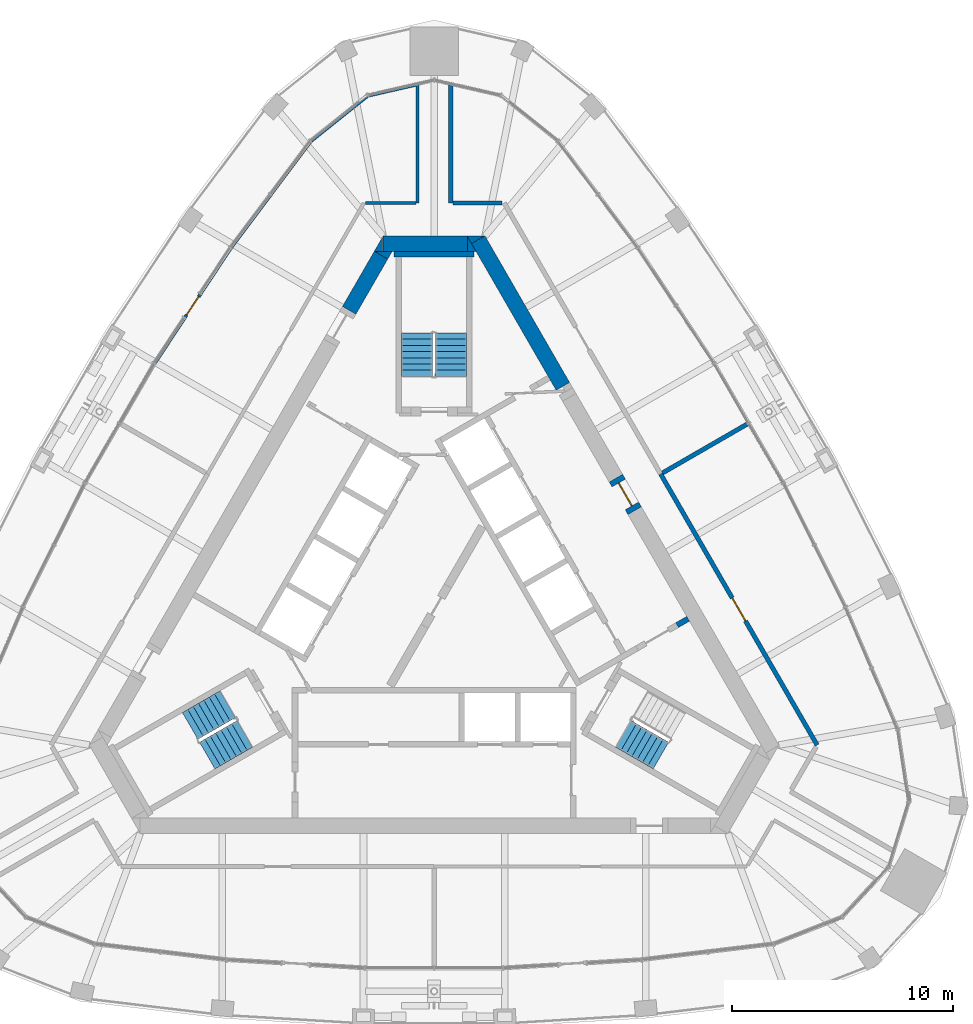
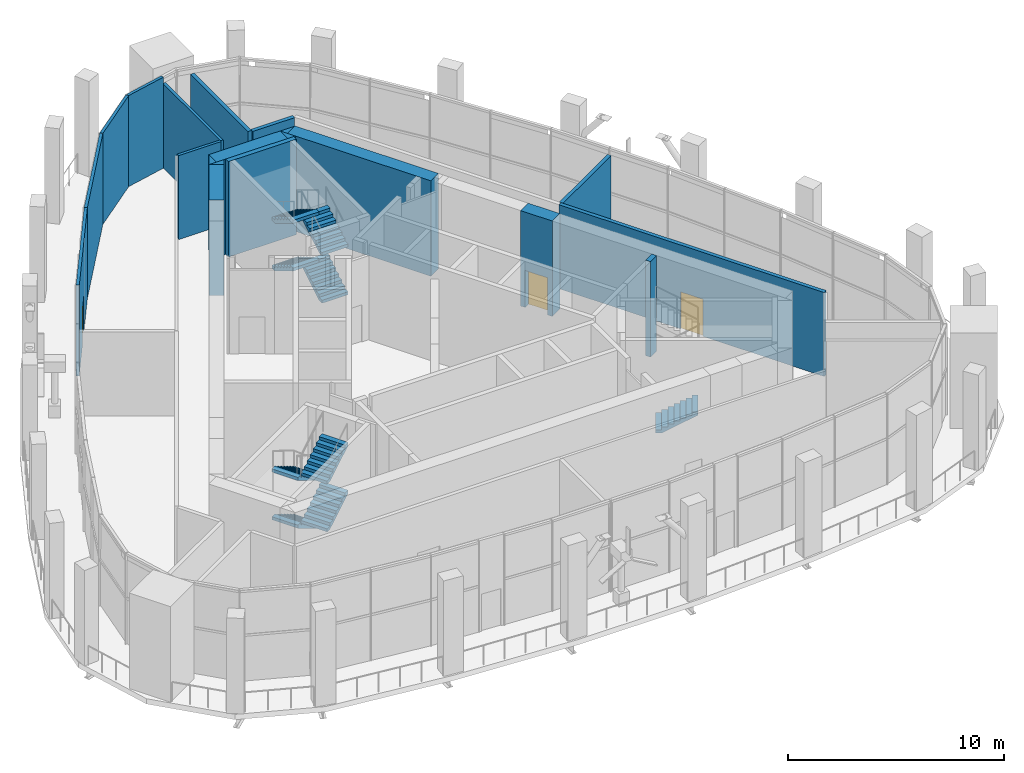
# One storey, part 16 of 23: 20 walls, 9 stair flights, 3 doors, 3 openings, 3 elements without a shape of their own.
"""IFC4 building model written with IfcOpenShell, lengths in metres."""

from ifc_helpers import new_model, si_unit, direction, frame, frame_2d, origin, place, context, subcontext, project, spatial, polyline, rectangle, outline, extrude, material, layer, layer_set, type_object, element, fill, aggregate, save


model = new_model("IFC4")

# Units and contexts
model_context = context("Model", 3, precision=1e-05, world=origin(), true_north=direction((0.0, 1.0)))
body_context = subcontext(model_context, "Body", "Model", "MODEL_VIEW")
ifc_project = project(units=[si_unit("LENGTHUNIT", "METRE"), si_unit("AREAUNIT", "SQUARE_METRE"), si_unit("VOLUMEUNIT", "CUBIC_METRE"), si_unit("PLANEANGLEUNIT", "RADIAN"), si_unit("MASSUNIT", "GRAM", prefix="KILO")], contexts=[model_context])

# Site, building, storey
site_placement = place(None, origin())
site = spatial("IfcSite", under=ifc_project, at=site_placement, CompositionType="ELEMENT")
building_placement = place(site_placement, origin())
building = spatial("IfcBuilding", under=site, at=building_placement, Name="Mestral Congress Tower", CompositionType="ELEMENT")
storey_placement = place(building_placement, frame((0.0, 0.0, 261.60009765625)))
storey = spatial("IfcBuildingStorey", under=building, at=storey_placement, Name="L61", CompositionType="ELEMENT", Elevation=261.60009765625)

# Walls
ifc_material_1 = material(Name="Concrete C60/75", Category="concrete")
ifc_layer_1 = layer(ifc_material_1, 0.699951171875)
ifc_layer_set_1 = layer_set([ifc_layer_1], Name="Concrete C60/75")
wall_type_1 = type_object("IfcWallType", Name="Core wall RC 700", PredefinedType="SOLIDWALL", material=ifc_layer_set_1)
wall_1_placement = place(storey_placement, frame((5.833251953125, 9.896484375, 0.0), z_axis=(0.0, 0.0, 1.0), x_axis=(-0.499987949039, 0.866032361298, 0.0)))
element("IfcWall", 1, at=wall_1_placement, inside=storey, type_object=wall_type_1, Name="L61 core wall", PredefinedType="SOLIDWALL", context=body_context, shape_type="SweptSolid", body=[
    extrude(rectangle(XDim=7.668212890625, YDim=0.699951171875, at=frame_2d((3.833984375, 0.0))), origin(), (0.0, 0.0, 1.0), 5.39990234375),
])
placement = place(storey_placement, origin())
element("IfcWall", 2, at=placement, inside=storey, type_object=wall_type_1, Name="L61 core wall", PredefinedType="SOLIDWALL", context=body_context, shape_type="SweptSolid", body=[
    extrude(outline(polyline([(1.501220703125, 16.699951171875), (2.277099609375, 16.699951171875), (1.695068359375, 16.364013671875), (1.501220703125, 16.699951171875)])), origin(), (0.0, 0.0, 1.0), 5.39990234375),
])
wall_3_placement = place(storey_placement, frame((-2.323486328125, 16.35009765625, 0.0), z_axis=(0.0, 0.0, 1.0), x_axis=(1.0, 0.0, 0.0)))
element("IfcWall", 3, at=wall_3_placement, inside=storey, type_object=wall_type_1, Name="L61 core wall", PredefinedType="SOLIDWALL", context=body_context, shape_type="SweptSolid", body=[
    extrude(rectangle(XDim=3.828857421875, YDim=0.699951171875, at=frame_2d((1.91455078125, 0.0))), origin(), (0.0, 0.0, 1.0), 5.39990234375),
])
element("IfcWall", 4, at=placement, inside=storey, type_object=wall_type_1, Name="L61 core wall", PredefinedType="SOLIDWALL", context=body_context, shape_type="SweptSolid", body=[
    extrude(outline(polyline([(1.9052734375, 16.0), (1.50732421875, 16.0), (1.50732421875, 16.689208984375), (1.9052734375, 16.0)])), origin(), (0.0, 0.0, 1.0), 5.39990234375),
])
element("IfcWall", 5, at=placement, inside=storey, type_object=wall_type_1, Name="L61 core wall", PredefinedType="SOLIDWALL", context=body_context, shape_type="SweptSolid", body=[
    extrude(outline(polyline([(-2.71337890625, 16.0), (-2.325439453125, 16.672119140625), (-2.325439453125, 16.0), (-2.71337890625, 16.0)])), origin(), (0.0, 0.0, 1.0), 5.39990234375),
])
wall_6_placement = place(storey_placement, frame((-2.4033203125, 15.837158203125, 0.0), z_axis=(0.0, 0.0, 1.0), x_axis=(-0.500008214683, -0.866020660983, 0.0)))
element("IfcWall", 6, at=wall_6_placement, inside=storey, type_object=wall_type_1, Name="L61 core wall", PredefinedType="SOLIDWALL", context=body_context, shape_type="SweptSolid", body=[
    extrude(rectangle(XDim=2.88427734375, YDim=0.699951171875, at=frame_2d((1.442138671875, 0.0))), origin(), (0.0, 0.0, 1.0), 5.39990234375),
])
element("IfcWall", 7, at=placement, inside=storey, type_object=wall_type_1, Name="L61 core wall", PredefinedType="SOLIDWALL", context=body_context, shape_type="SweptSolid", body=[
    extrude(outline(polyline([(-1.9052734375, 16.0), (-2.099365234375, 15.6640625), (-2.681396484375, 16.0), (-1.9052734375, 16.0)])), origin(), (0.0, 0.0, 1.0), 5.39990234375),
])

# Wall, opening, door
wall_8_placement = place(storey_placement, frame((8.2353515625, 5.736083984375, 0.0), z_axis=(0.0, 0.0, 1.0), x_axis=(0.499954529098, -0.86605165483, 0.0)))
wall_8 = element("IfcWall", 8, at=wall_8_placement, inside=storey, type_object=wall_type_1, Name="L61 door wall", PredefinedType="SOLIDWALL", context=body_context, shape_type="SweptSolid", body=[
    extrude(rectangle(XDim=1.699951171875, YDim=0.699951171875, at=frame_2d((0.85009765625, 0.0))), origin(), (0.0, 0.0, 1.0), 5.39990234375),
])
opening_1_placement = place(wall_8_placement, frame((0.25, 0.0, 0.0)))
opening_1 = element("IfcOpeningElement", 9, at=opening_1_placement, cuts=wall_8, Name="Opening XDL", PredefinedType="OPENING", context=body_context, shape_type="SweptSolid", body=[
    extrude(rectangle(XDim=1.199951171875, YDim=2.10009765625, at=frame_2d((0.60009765625, 1.050048828125))), frame((0.0, 0.35986328125, 0.0), z_axis=(0.0, -1.0, 0.0), x_axis=(1.0, 0.0, 0.0)), (0.0, 0.0, 1.0), 0.719970703125),
])
ifc_material_2 = material(Name="Fire-rated steel door set", Category="steel")
door_type_1 = type_object("IfcDoorType", Name="Core door XD 1200x2100", OperationType="SINGLE_SWING_LEFT", PredefinedType="DOOR", material=ifc_material_2)
door_1_placement = place(opening_1_placement, origin())
door_1 = element("IfcDoor", 10, at=door_1_placement, inside=storey, type_object=door_type_1, Name="Door XDL", OperationType="SINGLE_SWING_LEFT", OverallHeight=2.10009765625, OverallWidth=1.199951171875, PredefinedType="DOOR", context=body_context, shape_type="SweptSolid", body=[
    extrude(rectangle(XDim=1.199951171875, YDim=2.10009765625, at=frame_2d((0.60009765625, 1.050048828125))), frame((0.0, 0.02490234375, 0.0), z_axis=(0.0, -1.0, 0.0), x_axis=(1.0, 0.0, 0.0)), (0.0, 0.0, 1.0), 0.050048828125),
])
fill(opening_1, door_1)

# Wall
ifc_layer_2 = layer(ifc_material_1, 0.25)
ifc_layer_set_2 = layer_set([ifc_layer_2], Name="Concrete C60/75")
wall_type_2 = type_object("IfcWallType", Name="Shaft wall RC 250", PredefinedType="SOLIDWALL", material=ifc_layer_set_2)
wall_9_placement = place(storey_placement, frame((11.507080078125, -0.631103515625, 0.0), z_axis=(0.0, 0.0, 1.0), x_axis=(-0.866093731455, -0.499881634324, 0.0)))
element("IfcWall", 11, at=wall_9_placement, inside=storey, type_object=wall_type_2, Name="L61 core wall", PredefinedType="SOLIDWALL", context=body_context, shape_type="SweptSolid", body=[
    extrude(rectangle(XDim=0.575439453125, YDim=0.25, at=frame_2d((0.28759765625, 0.0))), origin(), (0.0, 0.0, 1.0), 5.39990234375),
])

# Wall, opening, door
ifc_material_3 = material(Name="Aluminium-framed glazed screen", Category="aluminium")
ifc_layer_3 = layer(ifc_material_3, 0.14990234375)
ifc_layer_set_3 = layer_set([ifc_layer_3], Name="Aluminium-framed glazed screen")
wall_type_3 = type_object("IfcWallType", Name="Special deck access screen 150", PredefinedType="PARTITIONING", material=ifc_layer_set_3)
wall_10_placement = place(storey_placement, frame((-9.21240234375, 16.156982421875, 0.0), z_axis=(0.0, 0.0, 1.0), x_axis=(-0.550753125613, -0.834668194331, 0.0)))
wall_10 = element("IfcWall", 12, at=wall_10_placement, inside=storey, type_object=wall_type_3, Name="Deck access screen wall", PredefinedType="PARTITIONING", context=body_context, shape_type="SweptSolid", body=[
    extrude(rectangle(XDim=6.261962890625, YDim=0.14990234375, at=frame_2d((3.130859375, 0.0))), origin(), (0.0, 0.0, 1.0), 5.14990234375),
])
opening_2_placement = place(wall_10_placement, frame((2.630859375, 0.0, 0.0)))
opening_2 = element("IfcOpeningElement", 13, at=opening_2_placement, cuts=wall_10, Name="Opening S61-803", PredefinedType="OPENING", context=body_context, shape_type="SweptSolid", body=[
    extrude(rectangle(XDim=1.0, YDim=2.10009765625, at=frame_2d((0.5, 1.050048828125))), frame((0.0, 0.0849609375, 0.0), z_axis=(0.0, -1.0, 0.0), x_axis=(1.0, 0.0, 0.0)), (0.0, 0.0, 1.0), 0.169921875),
])
ifc_material_4 = material(Name="Timber door set", Category="wood")
door_type_2 = type_object("IfcDoorType", Name="Room door 1000x2100", OperationType="SINGLE_SWING_LEFT", PredefinedType="DOOR", material=ifc_material_4)
door_2_placement = place(opening_2_placement, origin())
door_2 = element("IfcDoor", 14, at=door_2_placement, inside=storey, type_object=door_type_2, Name="Door S61-803", OperationType="SINGLE_SWING_LEFT", OverallHeight=2.10009765625, OverallWidth=1.0, PredefinedType="DOOR", context=body_context, shape_type="SweptSolid", body=[
    extrude(rectangle(XDim=1.0, YDim=2.10009765625, at=frame_2d((0.5, 1.050048828125))), frame((0.0, 0.02490234375, 0.0), z_axis=(0.0, -1.0, 0.0), x_axis=(1.0, 0.0, 0.0)), (0.0, 0.0, 1.0), 0.050048828125),
])
fill(opening_2, door_2)

# Walls
wall_11_placement = place(storey_placement, frame((-5.5908203125, 20.99169921875, 0.0), z_axis=(0.0, 0.0, 1.0), x_axis=(-0.599540458284, -0.800344450147, 0.0)))
element("IfcWall", 15, at=wall_11_placement, inside=storey, type_object=wall_type_3, Name="Deck access screen wall", PredefinedType="PARTITIONING", context=body_context, shape_type="SweptSolid", body=[
    extrude(rectangle(XDim=6.03662109375, YDim=0.14990234375, at=frame_2d((3.018310546875, 0.0))), origin(), (0.0, 0.0, 1.0), 5.14990234375),
])
wall_12_placement = place(storey_placement, frame((-3.01611328125, 23.04931640625, 0.0), z_axis=(0.0, 0.0, 1.0), x_axis=(-0.781653167731, -0.623713335898, 0.0)))
element("IfcWall", 16, at=wall_12_placement, inside=storey, type_object=wall_type_3, Name="Deck access screen wall", PredefinedType="PARTITIONING", context=body_context, shape_type="SweptSolid", body=[
    extrude(rectangle(XDim=3.277099609375, YDim=0.14990234375, at=frame_2d((1.638671875, 0.0))), origin(), (0.0, 0.0, 1.0), 5.14990234375),
])
wall_13_placement = place(storey_placement, frame((-0.8447265625, 23.552978515625, 0.0), z_axis=(0.0, 0.0, 1.0), x_axis=(-0.974901948002, -0.222634659885, 0.0)))
element("IfcWall", 17, at=wall_13_placement, inside=storey, type_object=wall_type_3, Name="Deck access screen wall", PredefinedType="PARTITIONING", context=body_context, shape_type="SweptSolid", body=[
    extrude(rectangle(XDim=2.196533203125, YDim=0.14990234375, at=frame_2d((1.09814453125, 0.0))), origin(), (0.0, 0.0, 1.0), 5.14990234375),
])
ifc_material_5 = material(Name="Fire-rated board partition")
ifc_layer_4 = layer(ifc_material_5, 0.14990234375)
ifc_layer_set_4 = layer_set([ifc_layer_4], Name="Fire-rated board partition")
wall_type_4 = type_object("IfcWallType", Name="Special partition 150 EI 120", PredefinedType="PARTITIONING", material=ifc_layer_set_4)
wall_14_placement = place(storey_placement, frame((-0.75, 18.199951171875, 0.0), z_axis=(0.0, 0.0, 1.0), x_axis=(0.0, 1.0, 0.0)))
element("IfcWall", 18, at=wall_14_placement, inside=storey, type_object=wall_type_4, Name="Partition", PredefinedType="PARTITIONING", context=body_context, shape_type="SweptSolid", body=[
    extrude(rectangle(XDim=5.350341796875, YDim=0.14990234375, at=frame_2d((2.67529296875, 0.0))), origin(), (0.0, 0.0, 1.0), 4.75),
])
wall_15_placement = place(storey_placement, frame((-3.10546875, 18.199951171875, 0.0), z_axis=(0.0, 0.0, 1.0), x_axis=(1.0, 0.0, 0.0)))
element("IfcWall", 19, at=wall_15_placement, inside=storey, type_object=wall_type_4, Name="Partition", PredefinedType="PARTITIONING", context=body_context, shape_type="SweptSolid", body=[
    extrude(rectangle(XDim=2.275390625, YDim=0.14990234375, at=frame_2d((1.1376953125, 0.0))), origin(), (0.0, 0.0, 1.0), 4.75),
])

# Wall, opening, door
ifc_material_6 = material(Name="Concrete block wall, plastered", Category="concrete")
ifc_layer_5 = layer(ifc_material_6, 0.199951171875)
ifc_layer_set_5 = layer_set([ifc_layer_5], Name="Concrete block wall, plastered")
wall_type_5 = type_object("IfcWallType", Name="Special partition 200 EI 120", PredefinedType="PARTITIONING", material=ifc_layer_set_5)
wall_16_placement = place(storey_placement, frame((17.349365234375, -6.35009765625, 0.0), z_axis=(0.0, 0.0, 1.0), x_axis=(-0.499997784101, 0.866026683131, 0.0)))
wall_16 = element("IfcWall", 20, at=wall_16_placement, inside=storey, type_object=wall_type_5, Name="Partition", PredefinedType="PARTITIONING", context=body_context, shape_type="SweptSolid", body=[
    extrude(rectangle(XDim=14.17431640625, YDim=0.199951171875, at=frame_2d((7.087158203125, 0.0))), origin(), (0.0, 0.0, 1.0), 4.75),
])
opening_3_placement = place(wall_16_placement, frame((6.487060546875, 0.0, 0.0)))
opening_3 = element("IfcOpeningElement", 21, at=opening_3_placement, cuts=wall_16, Name="Opening S61-004", PredefinedType="OPENING", context=body_context, shape_type="SweptSolid", body=[
    extrude(rectangle(XDim=1.199951171875, YDim=2.10009765625, at=frame_2d((0.60009765625, 1.050048828125))), frame((0.0, 0.10986328125, 0.0), z_axis=(0.0, -1.0, 0.0), x_axis=(1.0, 0.0, 0.0)), (0.0, 0.0, 1.0), 0.219970703125),
])
door_type_3 = type_object("IfcDoorType", Name="Plant room door 1200x2100", OperationType="SINGLE_SWING_LEFT", PredefinedType="DOOR", material=ifc_material_2)
door_3_placement = place(opening_3_placement, origin())
door_3 = element("IfcDoor", 22, at=door_3_placement, inside=storey, type_object=door_type_3, Name="Door S61-004", OperationType="SINGLE_SWING_RIGHT", OverallHeight=2.10009765625, OverallWidth=1.199951171875, PredefinedType="DOOR", context=body_context, shape_type="SweptSolid", body=[
    extrude(rectangle(XDim=1.199951171875, YDim=2.10009765625, at=frame_2d((0.60009765625, 1.050048828125))), frame((0.0, 0.02490234375, 0.0), z_axis=(0.0, -1.0, 0.0), x_axis=(1.0, 0.0, 0.0)), (0.0, 0.0, 1.0), 0.050048828125),
])
fill(opening_3, door_3)

# Walls
wall_17_placement = place(storey_placement, frame((0.75, 23.55029296875, 0.0), z_axis=(0.0, 0.0, 1.0), x_axis=(0.0, -1.0, 0.0)))
element("IfcWall", 23, at=wall_17_placement, inside=storey, type_object=wall_type_5, Name="Partition", PredefinedType="PARTITIONING", context=body_context, shape_type="SweptSolid", body=[
    extrude(rectangle(XDim=5.350341796875, YDim=0.199951171875, at=frame_2d((2.67529296875, 0.0))), origin(), (0.0, 0.0, 1.0), 4.75),
])
wall_18_placement = place(storey_placement, frame((10.34912109375, 5.97509765625, 0.0), z_axis=(0.0, 0.0, 1.0), x_axis=(0.866022231217, 0.500005495009, 0.0)))
element("IfcWall", 24, at=wall_18_placement, inside=storey, type_object=wall_type_5, Name="Partition", PredefinedType="PARTITIONING", context=body_context, shape_type="SweptSolid", body=[
    extrude(rectangle(XDim=4.455078125, YDim=0.199951171875, at=frame_2d((2.2275390625, 0.0))), origin(), (0.0, 0.0, 1.0), 4.75),
])
wall_19_placement = place(storey_placement, frame((0.85009765625, 18.199951171875, 0.0), z_axis=(0.0, 0.0, 1.0), x_axis=(1.0, 0.0, 0.0)))
element("IfcWall", 25, at=wall_19_placement, inside=storey, type_object=wall_type_5, Name="Partition", PredefinedType="PARTITIONING", context=body_context, shape_type="SweptSolid", body=[
    extrude(rectangle(XDim=2.2353515625, YDim=0.199951171875, at=frame_2d((1.11767578125, 0.0))), origin(), (0.0, 0.0, 1.0), 4.75),
])
ifc_layer_6 = layer(ifc_material_1, 0.25)
ifc_layer_set_6 = layer_set([ifc_layer_6], Name="Concrete C60/75")
wall_type_6 = type_object("IfcWallType", Name="Stair wall RC 250", PredefinedType="SOLIDWALL", material=ifc_layer_set_6)
wall_20_placement = place(storey_placement, frame((-1.81689453125, 15.875, 0.0), z_axis=(0.0, 0.0, 1.0), x_axis=(1.0, 0.0, 0.0)))
element("IfcWall", 26, at=wall_20_placement, inside=storey, type_object=wall_type_6, Name="L61 core wall", PredefinedType="SOLIDWALL", context=body_context, shape_type="SweptSolid", body=[
    extrude(rectangle(XDim=3.6337890625, YDim=0.25, at=frame_2d((1.81689453125, 0.0))), origin(), (0.0, 0.0, 1.0), 5.39990234375),
])

# Stair, stair flight
stair_type = type_object("IfcStairType", Name="Exit stair 1400", PredefinedType="HALF_TURN_STAIR", material=ifc_material_1)
stair_1 = element("IfcStair", 27, at=placement, inside=storey, type_object=stair_type, Name="L61 ST1", PredefinedType="HALF_TURN_STAIR")
stair_flight_type = type_object("IfcStairFlightType", Name="Exit stair flight 1400", PredefinedType="STRAIGHT", material=ifc_material_1)
stair_flight_1_placement = place(storey_placement, frame((8.575927734375, -5.84619140625, 0.0), z_axis=(0.0, 0.0, 1.0), x_axis=(0.866025403784, -0.5, 0.0)))
stair_flight_1 = element("IfcStairFlight", 28, at=stair_flight_1_placement, type_object=stair_flight_type, Name="ST1 flight 1", NumberOfRisers=8, NumberOfTreads=7, PredefinedType="STRAIGHT", RiserHeight=0.16875, TreadLength=0.28, context=body_context, shape_type="SweptSolid", body=[
    extrude(outline(polyline([(0.0, 0.0), (0.0, 0.168701171875), (0.280029296875, 0.168701171875), (0.280029296875, 0.33740234375), (0.56005859375, 0.33740234375), (0.56005859375, 0.50634765625), (0.840087890625, 0.50634765625), (0.840087890625, 0.675048828125), (1.1201171875, 0.675048828125), (1.1201171875, 0.84375), (1.39990234375, 0.84375), (1.39990234375, 1.012451171875), (1.679931640625, 1.012451171875), (1.679931640625, 1.18115234375), (1.9599609375, 1.18115234375), (1.9599609375, 1.35009765625), (1.9599609375, 1.00634765625), (0.29052734375, 0.0), (0.0, 0.0)])), frame((0.0, 0.699951171875, 0.0), z_axis=(0.0, -1.0, 0.0), x_axis=(1.0, 0.0, 0.0)), (0.0, 0.0, 1.0), 0.700927734375),
    extrude(outline(polyline([(0.0, 0.0), (0.0, 0.168701171875), (0.280029296875, 0.168701171875), (0.280029296875, 0.33740234375), (0.56005859375, 0.33740234375), (0.56005859375, 0.50634765625), (0.840087890625, 0.50634765625), (0.840087890625, 0.675048828125), (1.1201171875, 0.675048828125), (1.1201171875, 0.84375), (1.39990234375, 0.84375), (1.39990234375, 1.012451171875), (1.679931640625, 1.012451171875), (1.679931640625, 1.18115234375), (1.9599609375, 1.18115234375), (1.9599609375, 1.35009765625), (1.9599609375, 1.00634765625), (0.29052734375, 0.0), (0.0, 0.0)])), frame((0.0, 0.0009765625, 0.0), z_axis=(0.0, -1.0, 0.0), x_axis=(1.0, 0.0, 0.0)), (0.0, 0.0, 1.0), 0.700927734375),
])
aggregate(stair_1, [stair_flight_1])

# Stair, stair flights
stair_2 = element("IfcStair", 29, at=placement, inside=storey, type_object=stair_type, Name="L61 ST2", PredefinedType="HALF_TURN_STAIR")
stair_flight_2_placement = place(storey_placement, frame((0.77490234375, 10.35009765625, 0.0), z_axis=(0.0, 0.0, 1.0), x_axis=(0.0, 1.0, 0.0)))
stair_flight_2 = element("IfcStairFlight", 30, at=stair_flight_2_placement, type_object=stair_flight_type, Name="ST2 flight 1", NumberOfRisers=8, NumberOfTreads=7, PredefinedType="STRAIGHT", RiserHeight=0.16875, TreadLength=0.28, context=body_context, shape_type="SweptSolid", body=[
    extrude(outline(polyline([(0.0, 0.0), (0.0, 0.168701171875), (0.280029296875, 0.168701171875), (0.280029296875, 0.33740234375), (0.56005859375, 0.33740234375), (0.56005859375, 0.50634765625), (0.840087890625, 0.50634765625), (0.840087890625, 0.675048828125), (1.1201171875, 0.675048828125), (1.1201171875, 0.84375), (1.39990234375, 0.84375), (1.39990234375, 1.012451171875), (1.679931640625, 1.012451171875), (1.679931640625, 1.18115234375), (1.9599609375, 1.18115234375), (1.9599609375, 1.35009765625), (1.9599609375, 1.00634765625), (0.29052734375, 0.0), (0.0, 0.0)])), frame((0.0, 0.699951171875, 0.0), z_axis=(0.0, -1.0, 0.0), x_axis=(1.0, 0.0, 0.0)), (0.0, 0.0, 1.0), 0.700927734375),
    extrude(outline(polyline([(0.0, 0.0), (0.0, 0.168701171875), (0.280029296875, 0.168701171875), (0.280029296875, 0.33740234375), (0.56005859375, 0.33740234375), (0.56005859375, 0.50634765625), (0.840087890625, 0.50634765625), (0.840087890625, 0.675048828125), (1.1201171875, 0.675048828125), (1.1201171875, 0.84375), (1.39990234375, 0.84375), (1.39990234375, 1.012451171875), (1.679931640625, 1.012451171875), (1.679931640625, 1.18115234375), (1.9599609375, 1.18115234375), (1.9599609375, 1.35009765625), (1.9599609375, 1.00634765625), (0.29052734375, 0.0), (0.0, 0.0)])), frame((0.0, 0.0009765625, 0.0), z_axis=(0.0, -1.0, 0.0), x_axis=(1.0, 0.0, 0.0)), (0.0, 0.0, 1.0), 0.700927734375),
])
stair_flight_3_placement = place(storey_placement, frame((-0.77490234375, 12.31005859375, 1.349853515625), z_axis=(0.0, 0.0, 1.0), x_axis=(0.0, -1.0, 0.0)))
stair_flight_3 = element("IfcStairFlight", 31, at=stair_flight_3_placement, type_object=stair_flight_type, Name="ST2 flight 2", NumberOfRisers=8, NumberOfTreads=7, PredefinedType="STRAIGHT", RiserHeight=0.16875, TreadLength=0.28, context=body_context, shape_type="SweptSolid", body=[
    extrude(outline(polyline([(0.0, 0.0), (0.0, 0.168701171875), (0.280029296875, 0.168701171875), (0.280029296875, 0.33740234375), (0.56005859375, 0.33740234375), (0.56005859375, 0.50634765625), (0.840087890625, 0.50634765625), (0.840087890625, 0.675048828125), (1.1201171875, 0.675048828125), (1.1201171875, 0.84375), (1.39990234375, 0.84375), (1.39990234375, 1.012451171875), (1.679931640625, 1.012451171875), (1.679931640625, 1.18115234375), (1.9599609375, 1.18115234375), (1.9599609375, 1.35009765625), (1.9599609375, 1.00634765625), (0.29052734375, 0.0), (0.0, 0.0)])), frame((0.0, 0.699951171875, 0.0), z_axis=(0.0, -1.0, 0.0), x_axis=(1.0, 0.0, 0.0)), (0.0, 0.0, 1.0), 0.700927734375),
    extrude(outline(polyline([(0.0, 0.0), (0.0, 0.168701171875), (0.280029296875, 0.168701171875), (0.280029296875, 0.33740234375), (0.56005859375, 0.33740234375), (0.56005859375, 0.50634765625), (0.840087890625, 0.50634765625), (0.840087890625, 0.675048828125), (1.1201171875, 0.675048828125), (1.1201171875, 0.84375), (1.39990234375, 0.84375), (1.39990234375, 1.012451171875), (1.679931640625, 1.012451171875), (1.679931640625, 1.18115234375), (1.9599609375, 1.18115234375), (1.9599609375, 1.35009765625), (1.9599609375, 1.00634765625), (0.29052734375, 0.0), (0.0, 0.0)])), frame((0.0, 0.0009765625, 0.0), z_axis=(0.0, -1.0, 0.0), x_axis=(1.0, 0.0, 0.0)), (0.0, 0.0, 1.0), 0.700927734375),
])
stair_flight_4_placement = place(storey_placement, frame((0.77490234375, 10.35009765625, 2.699951171875), z_axis=(0.0, 0.0, 1.0), x_axis=(0.0, 1.0, 0.0)))
stair_flight_4 = element("IfcStairFlight", 32, at=stair_flight_4_placement, type_object=stair_flight_type, Name="ST2 flight 3", NumberOfRisers=8, NumberOfTreads=7, PredefinedType="STRAIGHT", RiserHeight=0.16875, TreadLength=0.28, context=body_context, shape_type="SweptSolid", body=[
    extrude(outline(polyline([(0.0, 0.0), (0.0, 0.168701171875), (0.280029296875, 0.168701171875), (0.280029296875, 0.33740234375), (0.56005859375, 0.33740234375), (0.56005859375, 0.50634765625), (0.840087890625, 0.50634765625), (0.840087890625, 0.675048828125), (1.1201171875, 0.675048828125), (1.1201171875, 0.84375), (1.39990234375, 0.84375), (1.39990234375, 1.012451171875), (1.679931640625, 1.012451171875), (1.679931640625, 1.18115234375), (1.9599609375, 1.18115234375), (1.9599609375, 1.35009765625), (1.9599609375, 1.00634765625), (0.29052734375, 0.0), (0.0, 0.0)])), frame((0.0, 0.699951171875, 0.0), z_axis=(0.0, -1.0, 0.0), x_axis=(1.0, 0.0, 0.0)), (0.0, 0.0, 1.0), 0.700927734375),
    extrude(outline(polyline([(0.0, 0.0), (0.0, 0.168701171875), (0.280029296875, 0.168701171875), (0.280029296875, 0.33740234375), (0.56005859375, 0.33740234375), (0.56005859375, 0.50634765625), (0.840087890625, 0.50634765625), (0.840087890625, 0.675048828125), (1.1201171875, 0.675048828125), (1.1201171875, 0.84375), (1.39990234375, 0.84375), (1.39990234375, 1.012451171875), (1.679931640625, 1.012451171875), (1.679931640625, 1.18115234375), (1.9599609375, 1.18115234375), (1.9599609375, 1.35009765625), (1.9599609375, 1.00634765625), (0.29052734375, 0.0), (0.0, 0.0)])), frame((0.0, 0.0009765625, 0.0), z_axis=(0.0, -1.0, 0.0), x_axis=(1.0, 0.0, 0.0)), (0.0, 0.0, 1.0), 0.700927734375),
])
stair_flight_5_placement = place(storey_placement, frame((-0.77490234375, 12.31005859375, 4.0498046875), z_axis=(0.0, 0.0, 1.0), x_axis=(0.0, -1.0, 0.0)))
stair_flight_5 = element("IfcStairFlight", 33, at=stair_flight_5_placement, type_object=stair_flight_type, Name="ST2 flight 4", NumberOfRisers=8, NumberOfTreads=7, PredefinedType="STRAIGHT", RiserHeight=0.16875, TreadLength=0.28, context=body_context, shape_type="SweptSolid", body=[
    extrude(outline(polyline([(0.0, 0.0), (0.0, 0.168701171875), (0.280029296875, 0.168701171875), (0.280029296875, 0.33740234375), (0.56005859375, 0.33740234375), (0.56005859375, 0.50634765625), (0.840087890625, 0.50634765625), (0.840087890625, 0.675048828125), (1.1201171875, 0.675048828125), (1.1201171875, 0.84375), (1.39990234375, 0.84375), (1.39990234375, 1.012451171875), (1.679931640625, 1.012451171875), (1.679931640625, 1.18115234375), (1.9599609375, 1.18115234375), (1.9599609375, 1.35009765625), (1.9599609375, 1.00634765625), (0.29052734375, 0.0), (0.0, 0.0)])), frame((0.0, 0.699951171875, 0.0), z_axis=(0.0, -1.0, 0.0), x_axis=(1.0, 0.0, 0.0)), (0.0, 0.0, 1.0), 0.700927734375),
    extrude(outline(polyline([(0.0, 0.0), (0.0, 0.168701171875), (0.280029296875, 0.168701171875), (0.280029296875, 0.33740234375), (0.56005859375, 0.33740234375), (0.56005859375, 0.50634765625), (0.840087890625, 0.50634765625), (0.840087890625, 0.675048828125), (1.1201171875, 0.675048828125), (1.1201171875, 0.84375), (1.39990234375, 0.84375), (1.39990234375, 1.012451171875), (1.679931640625, 1.012451171875), (1.679931640625, 1.18115234375), (1.9599609375, 1.18115234375), (1.9599609375, 1.35009765625), (1.9599609375, 1.00634765625), (0.29052734375, 0.0), (0.0, 0.0)])), frame((0.0, 0.0009765625, 0.0), z_axis=(0.0, -1.0, 0.0), x_axis=(1.0, 0.0, 0.0)), (0.0, 0.0, 1.0), 0.700927734375),
])
aggregate(stair_2, [stair_flight_2, stair_flight_3, stair_flight_4, stair_flight_5])

stair_3 = element("IfcStair", 34, at=placement, inside=storey, type_object=stair_type, Name="L61 ST3", PredefinedType="HALF_TURN_STAIR")
stair_flight_6_placement = place(storey_placement, frame((-9.350830078125, -4.50390625, 0.0), z_axis=(0.0, 0.0, 1.0), x_axis=(-0.866025403784, -0.5, 0.0)))
stair_flight_6 = element("IfcStairFlight", 35, at=stair_flight_6_placement, type_object=stair_flight_type, Name="ST3 flight 1", NumberOfRisers=8, NumberOfTreads=7, PredefinedType="STRAIGHT", RiserHeight=0.16875, TreadLength=0.28, context=body_context, shape_type="SweptSolid", body=[
    extrude(outline(polyline([(0.0, 0.0), (0.0, 0.168701171875), (0.280029296875, 0.168701171875), (0.280029296875, 0.33740234375), (0.56005859375, 0.33740234375), (0.56005859375, 0.50634765625), (0.840087890625, 0.50634765625), (0.840087890625, 0.675048828125), (1.1201171875, 0.675048828125), (1.1201171875, 0.84375), (1.39990234375, 0.84375), (1.39990234375, 1.012451171875), (1.679931640625, 1.012451171875), (1.679931640625, 1.18115234375), (1.9599609375, 1.18115234375), (1.9599609375, 1.35009765625), (1.9599609375, 1.00634765625), (0.29052734375, 0.0), (0.0, 0.0)])), frame((0.0, 0.699951171875, 0.0), z_axis=(0.0, -1.0, 0.0), x_axis=(1.0, 0.0, 0.0)), (0.0, 0.0, 1.0), 0.700927734375),
    extrude(outline(polyline([(0.0, 0.0), (0.0, 0.168701171875), (0.280029296875, 0.168701171875), (0.280029296875, 0.33740234375), (0.56005859375, 0.33740234375), (0.56005859375, 0.50634765625), (0.840087890625, 0.50634765625), (0.840087890625, 0.675048828125), (1.1201171875, 0.675048828125), (1.1201171875, 0.84375), (1.39990234375, 0.84375), (1.39990234375, 1.012451171875), (1.679931640625, 1.012451171875), (1.679931640625, 1.18115234375), (1.9599609375, 1.18115234375), (1.9599609375, 1.35009765625), (1.9599609375, 1.00634765625), (0.29052734375, 0.0), (0.0, 0.0)])), frame((0.0, 0.0009765625, 0.0), z_axis=(0.0, -1.0, 0.0), x_axis=(1.0, 0.0, 0.0)), (0.0, 0.0, 1.0), 0.700927734375),
])
stair_flight_7_placement = place(storey_placement, frame((-10.273193359375, -6.826171875, 1.349853515625), z_axis=(0.0, 0.0, 1.0), x_axis=(0.866025403784, 0.5, 0.0)))
stair_flight_7 = element("IfcStairFlight", 36, at=stair_flight_7_placement, type_object=stair_flight_type, Name="ST3 flight 2", NumberOfRisers=8, NumberOfTreads=7, PredefinedType="STRAIGHT", RiserHeight=0.16875, TreadLength=0.28, context=body_context, shape_type="SweptSolid", body=[
    extrude(outline(polyline([(0.0, 0.0), (0.0, 0.168701171875), (0.280029296875, 0.168701171875), (0.280029296875, 0.33740234375), (0.56005859375, 0.33740234375), (0.56005859375, 0.50634765625), (0.840087890625, 0.50634765625), (0.840087890625, 0.675048828125), (1.1201171875, 0.675048828125), (1.1201171875, 0.84375), (1.39990234375, 0.84375), (1.39990234375, 1.012451171875), (1.679931640625, 1.012451171875), (1.679931640625, 1.18115234375), (1.9599609375, 1.18115234375), (1.9599609375, 1.35009765625), (1.9599609375, 1.00634765625), (0.29052734375, 0.0), (0.0, 0.0)])), frame((0.0, 0.699951171875, 0.0), z_axis=(0.0, -1.0, 0.0), x_axis=(1.0, 0.0, 0.0)), (0.0, 0.0, 1.0), 0.700927734375),
    extrude(outline(polyline([(0.0, 0.0), (0.0, 0.168701171875), (0.280029296875, 0.168701171875), (0.280029296875, 0.33740234375), (0.56005859375, 0.33740234375), (0.56005859375, 0.50634765625), (0.840087890625, 0.50634765625), (0.840087890625, 0.675048828125), (1.1201171875, 0.675048828125), (1.1201171875, 0.84375), (1.39990234375, 0.84375), (1.39990234375, 1.012451171875), (1.679931640625, 1.012451171875), (1.679931640625, 1.18115234375), (1.9599609375, 1.18115234375), (1.9599609375, 1.35009765625), (1.9599609375, 1.00634765625), (0.29052734375, 0.0), (0.0, 0.0)])), frame((0.0, 0.0009765625, 0.0), z_axis=(0.0, -1.0, 0.0), x_axis=(1.0, 0.0, 0.0)), (0.0, 0.0, 1.0), 0.700927734375),
])
stair_flight_8_placement = place(storey_placement, frame((-9.350830078125, -4.50390625, 2.699951171875), z_axis=(0.0, 0.0, 1.0), x_axis=(-0.866025403784, -0.5, 0.0)))
stair_flight_8 = element("IfcStairFlight", 37, at=stair_flight_8_placement, type_object=stair_flight_type, Name="ST3 flight 3", NumberOfRisers=8, NumberOfTreads=7, PredefinedType="STRAIGHT", RiserHeight=0.16875, TreadLength=0.28, context=body_context, shape_type="SweptSolid", body=[
    extrude(outline(polyline([(0.0, 0.0), (0.0, 0.168701171875), (0.280029296875, 0.168701171875), (0.280029296875, 0.33740234375), (0.56005859375, 0.33740234375), (0.56005859375, 0.50634765625), (0.840087890625, 0.50634765625), (0.840087890625, 0.675048828125), (1.1201171875, 0.675048828125), (1.1201171875, 0.84375), (1.39990234375, 0.84375), (1.39990234375, 1.012451171875), (1.679931640625, 1.012451171875), (1.679931640625, 1.18115234375), (1.9599609375, 1.18115234375), (1.9599609375, 1.35009765625), (1.9599609375, 1.00634765625), (0.29052734375, 0.0), (0.0, 0.0)])), frame((0.0, 0.699951171875, 0.0), z_axis=(0.0, -1.0, 0.0), x_axis=(1.0, 0.0, 0.0)), (0.0, 0.0, 1.0), 0.700927734375),
    extrude(outline(polyline([(0.0, 0.0), (0.0, 0.168701171875), (0.280029296875, 0.168701171875), (0.280029296875, 0.33740234375), (0.56005859375, 0.33740234375), (0.56005859375, 0.50634765625), (0.840087890625, 0.50634765625), (0.840087890625, 0.675048828125), (1.1201171875, 0.675048828125), (1.1201171875, 0.84375), (1.39990234375, 0.84375), (1.39990234375, 1.012451171875), (1.679931640625, 1.012451171875), (1.679931640625, 1.18115234375), (1.9599609375, 1.18115234375), (1.9599609375, 1.35009765625), (1.9599609375, 1.00634765625), (0.29052734375, 0.0), (0.0, 0.0)])), frame((0.0, 0.0009765625, 0.0), z_axis=(0.0, -1.0, 0.0), x_axis=(1.0, 0.0, 0.0)), (0.0, 0.0, 1.0), 0.700927734375),
])
stair_flight_9_placement = place(storey_placement, frame((-10.273193359375, -6.826171875, 4.0498046875), z_axis=(0.0, 0.0, 1.0), x_axis=(0.866025403784, 0.5, 0.0)))
stair_flight_9 = element("IfcStairFlight", 38, at=stair_flight_9_placement, type_object=stair_flight_type, Name="ST3 flight 4", NumberOfRisers=8, NumberOfTreads=7, PredefinedType="STRAIGHT", RiserHeight=0.16875, TreadLength=0.28, context=body_context, shape_type="SweptSolid", body=[
    extrude(outline(polyline([(0.0, 0.0), (0.0, 0.168701171875), (0.280029296875, 0.168701171875), (0.280029296875, 0.33740234375), (0.56005859375, 0.33740234375), (0.56005859375, 0.50634765625), (0.840087890625, 0.50634765625), (0.840087890625, 0.675048828125), (1.1201171875, 0.675048828125), (1.1201171875, 0.84375), (1.39990234375, 0.84375), (1.39990234375, 1.012451171875), (1.679931640625, 1.012451171875), (1.679931640625, 1.18115234375), (1.9599609375, 1.18115234375), (1.9599609375, 1.35009765625), (1.9599609375, 1.00634765625), (0.29052734375, 0.0), (0.0, 0.0)])), frame((0.0, 0.699951171875, 0.0), z_axis=(0.0, -1.0, 0.0), x_axis=(1.0, 0.0, 0.0)), (0.0, 0.0, 1.0), 0.700927734375),
    extrude(outline(polyline([(0.0, 0.0), (0.0, 0.168701171875), (0.280029296875, 0.168701171875), (0.280029296875, 0.33740234375), (0.56005859375, 0.33740234375), (0.56005859375, 0.50634765625), (0.840087890625, 0.50634765625), (0.840087890625, 0.675048828125), (1.1201171875, 0.675048828125), (1.1201171875, 0.84375), (1.39990234375, 0.84375), (1.39990234375, 1.012451171875), (1.679931640625, 1.012451171875), (1.679931640625, 1.18115234375), (1.9599609375, 1.18115234375), (1.9599609375, 1.35009765625), (1.9599609375, 1.00634765625), (0.29052734375, 0.0), (0.0, 0.0)])), frame((0.0, 0.0009765625, 0.0), z_axis=(0.0, -1.0, 0.0), x_axis=(1.0, 0.0, 0.0)), (0.0, 0.0, 1.0), 0.700927734375),
])
aggregate(stair_3, [stair_flight_6, stair_flight_7, stair_flight_8, stair_flight_9])

save(model, "model.ifc")
